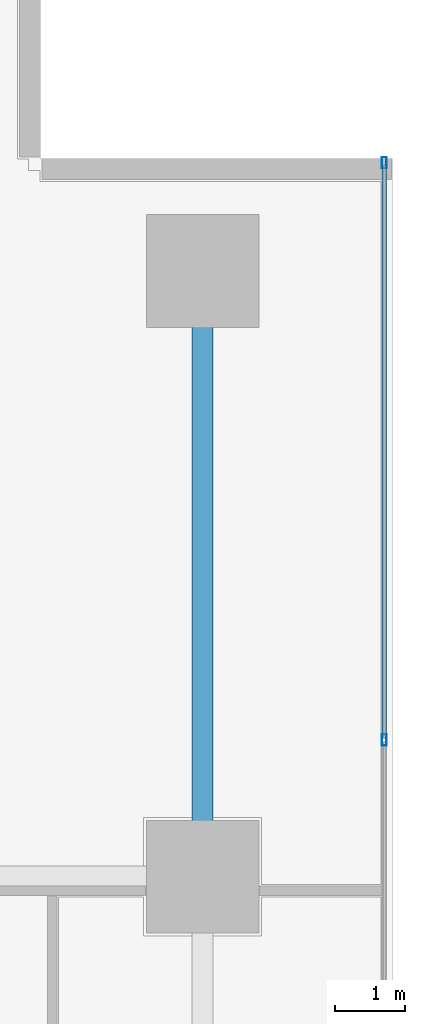
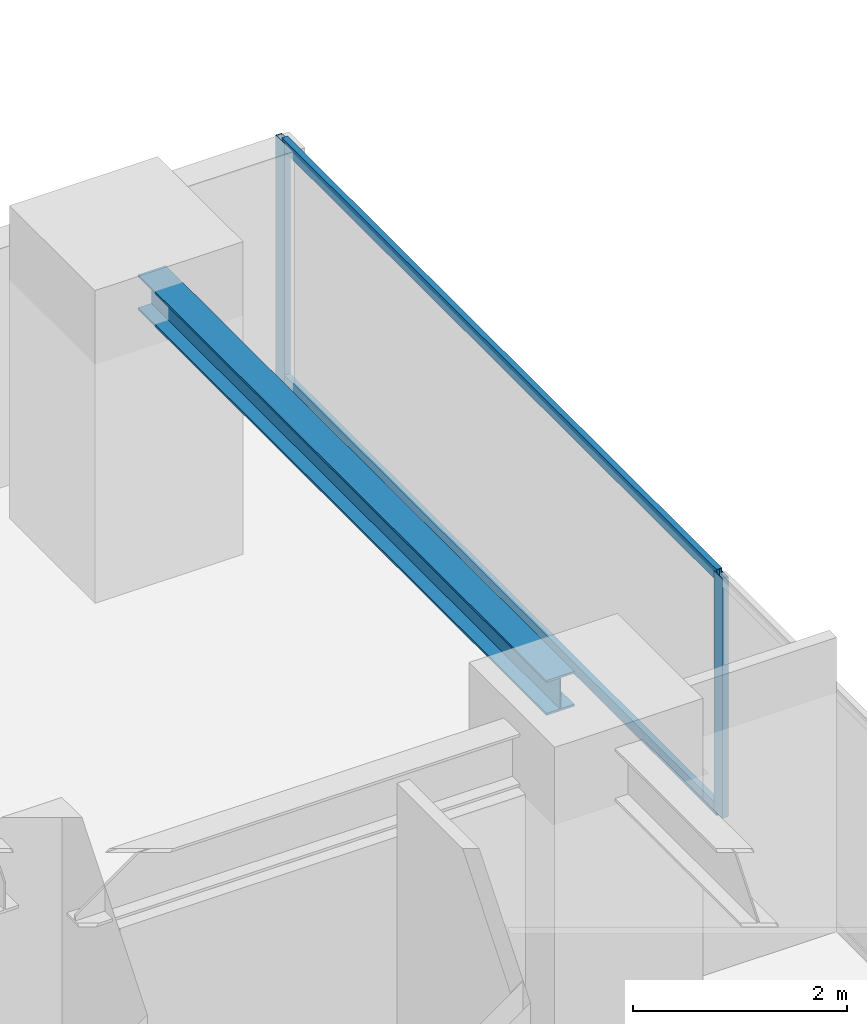
# One storey, part 24 of 36: 4 members, 1 beam, 1 element without a shape of its own.
"""IFC4 building model written with IfcOpenShell, lengths in metres."""

from ifc_helpers import new_model, si_unit, direction, frame, origin, origin_2d, place, context, subcontext, project, spatial, hollow_rectangle, i_section, extrude, source, transform, mapped, material, layer, layer_set, material_profile, profile_set, type_object, element, aggregate, save


model = new_model("IFC4")

# Units and contexts
model_context = context("Model", 3, precision=1e-05, world=origin(), true_north=direction((0.0, 1.0)))
body_context = subcontext(model_context, "Body", "Model", "MODEL_VIEW")
ifc_project = project(units=[si_unit("LENGTHUNIT", "METRE"), si_unit("AREAUNIT", "SQUARE_METRE"), si_unit("VOLUMEUNIT", "CUBIC_METRE"), si_unit("PLANEANGLEUNIT", "RADIAN"), si_unit("MASSUNIT", "GRAM", prefix="KILO")], contexts=[model_context])

# Site, building, storey
site_placement = place(None, origin())
site = spatial("IfcSite", under=ifc_project, at=site_placement, CompositionType="ELEMENT")
building_placement = place(site_placement, origin())
building = spatial("IfcBuilding", under=site, at=building_placement, Name="Sumidabori Civic Tower", CompositionType="ELEMENT")
storey_placement = place(building_placement, frame((0.0, 0.0, 77.60009765625)))
storey = spatial("IfcBuildingStorey", under=building, at=storey_placement, Name="L19", CompositionType="ELEMENT", Elevation=77.60009765625)

# Beam
ifc_material_1 = material(Name="Steel SN490", Category="steel")
ifc_material_profile_1 = material_profile(ifc_material_1, i_section(OverallWidth=0.300048828125, OverallDepth=0.39990234375, WebThickness=0.013427734375, FlangeThickness=0.02392578125, at=origin_2d()), Name="HE 400 B")
ifc_profile_set_1 = profile_set([ifc_material_profile_1], Name="Steel SN490")
beam_type = type_object("IfcBeamType", Name="BM-GIRD-400", PredefinedType="BEAM", material=ifc_profile_set_1)
shared_shape_1 = source(origin(), body_context, "Body", "SweptSolid", [
    extrude(i_section(OverallWidth=0.300048828125, OverallDepth=0.39990234375, WebThickness=0.013427734375, FlangeThickness=0.02392578125, at=origin_2d()), origin(), (0.0, 0.0, 1.0), 7.64013671875),
])
beam_placement = place(storey_placement, frame((22.800048828125, 10.679931640625, 3.159912109375), z_axis=(0.0, 1.0, 0.0), x_axis=(-1.0, 0.0, 0.0)))
element("IfcBeam", 1, at=beam_placement, inside=storey, type_object=beam_type, Name="Primary Girder L19 GY-42", PredefinedType="BEAM", context=body_context, shape_type="MappedRepresentation", body=[
    mapped(shared_shape_1, transform((0.0, 0.0, 0.0), x_axis=(1.0, 0.0, 0.0), y_axis=(0.0, 1.0, 0.0), z_axis=(0.0, 0.0, 1.0), scale=1.0)),
])

# Curtain wall, members
ifc_material_2 = material(Name="Anodised Bronze Aluminium AW-6063-T6", Category="aluminium")
ifc_layer = layer(ifc_material_2, 0.179931640625, Name="Anodised Bronze Aluminium AW-6063-T6")
ifc_layer_set = layer_set([ifc_layer], Name="Anodised Bronze Aluminium AW-6063-T6")
curtain_wall_type = type_object("IfcCurtainWallType", Name="CW-SYS-3", PredefinedType="NOTDEFINED", material=ifc_layer_set)
curtain_wall_placement = place(storey_placement, origin())
curtain_wall = element("IfcCurtainWall", 2, at=curtain_wall_placement, inside=storey, type_object=curtain_wall_type, Name="Curtain Wall CW:L19:R04", PredefinedType="NOTDEFINED")
ifc_material_profile_2 = material_profile(ifc_material_2, hollow_rectangle(XDim=0.06494140625, YDim=0.159912109375, WallThickness=0.0048828125, at=origin_2d()), Name="ALU MULLION 160x65")
ifc_profile_set_2 = profile_set([ifc_material_profile_2], Name="Anodised Bronze Aluminium AW-6063-T6")
member_type_1 = type_object("IfcMemberType", Name="CW-MUL-160", PredefinedType="MULLION", material=ifc_profile_set_2)
shared_shape_2 = source(origin(), body_context, "Body", "SweptSolid", [
    extrude(hollow_rectangle(XDim=0.06494140625, YDim=0.159912109375, WallThickness=0.0048828125, at=origin_2d()), origin(), (0.0, 0.0, 1.0), 2.739990234375),
])
member_1_placement = place(storey_placement, frame((25.3798828125, 12.14208984375, 0.0), z_axis=(0.0, 0.0, 1.0), x_axis=(-1.0, 0.0, 0.0)))
member_1 = element("IfcMember", 3, at=member_1_placement, type_object=member_type_1, Name="CW-3 mullion 5", PredefinedType="MULLION", context=body_context, shape_type="MappedRepresentation", body=[
    mapped(shared_shape_2, transform((0.0, 0.0, 0.0), x_axis=(1.0, 0.0, 0.0), y_axis=(0.0, 1.0, 0.0), z_axis=(0.0, 0.0, 1.0), scale=1.0)),
])
member_2_placement = place(storey_placement, frame((25.3798828125, 20.33740234375, 0.0), z_axis=(0.0, 0.0, 1.0), x_axis=(-1.0, 0.0, 0.0)))
member_2 = element("IfcMember", 4, at=member_2_placement, type_object=member_type_1, Name="CW-3 mullion 6", PredefinedType="MULLION", context=body_context, shape_type="MappedRepresentation", body=[
    mapped(shared_shape_2, transform((0.0, 0.0, 0.0), x_axis=(1.0, 0.0, 0.0), y_axis=(0.0, 1.0, 0.0), z_axis=(0.0, 0.0, 1.0), scale=1.0)),
])
ifc_material_profile_3 = material_profile(ifc_material_2, hollow_rectangle(XDim=0.06005859375, YDim=0.1298828125, WallThickness=0.0048828125, at=origin_2d()), Name="ALU TRANSOM 130x60")
ifc_profile_set_3 = profile_set([ifc_material_profile_3], Name="Anodised Bronze Aluminium AW-6063-T6")
member_type_2 = type_object("IfcMemberType", Name="CW-TRN-130", PredefinedType="USERDEFINED", material=ifc_profile_set_3)
shared_shape_3 = source(origin(), body_context, "Body", "SweptSolid", [
    extrude(hollow_rectangle(XDim=0.06005859375, YDim=0.1298828125, WallThickness=0.0048828125, at=origin_2d()), origin(), (0.0, 0.0, 1.0), 8.13037109375),
])
member_3_placement = place(storey_placement, frame((25.3798828125, 12.174560546875, 0.02978515625), z_axis=(0.0, 1.0, 0.0), x_axis=(-1.0, 0.0, 0.0)))
member_3 = element("IfcMember", 5, at=member_3_placement, type_object=member_type_2, Name="CW-3 transom 5.1", ObjectType="TRANSOM", PredefinedType="USERDEFINED", context=body_context, shape_type="MappedRepresentation", body=[
    mapped(shared_shape_3, transform((0.0, 0.0, 0.0), x_axis=(1.0, 0.0, 0.0), y_axis=(0.0, 1.0, 0.0), z_axis=(0.0, 0.0, 1.0), scale=1.0)),
])
member_4_placement = place(storey_placement, frame((25.3798828125, 12.174560546875, 2.7099609375), z_axis=(0.0, 1.0, 0.0), x_axis=(-1.0, 0.0, 0.0)))
member_4 = element("IfcMember", 6, at=member_4_placement, type_object=member_type_2, Name="CW-3 transom 5.2", ObjectType="TRANSOM", PredefinedType="USERDEFINED", context=body_context, shape_type="MappedRepresentation", body=[
    mapped(shared_shape_3, transform((0.0, 0.0, 0.0), x_axis=(1.0, 0.0, 0.0), y_axis=(0.0, 1.0, 0.0), z_axis=(0.0, 0.0, 1.0), scale=1.0)),
])
aggregate(curtain_wall, [member_1, member_2, member_3, member_4])

save(model, "model.ifc")
